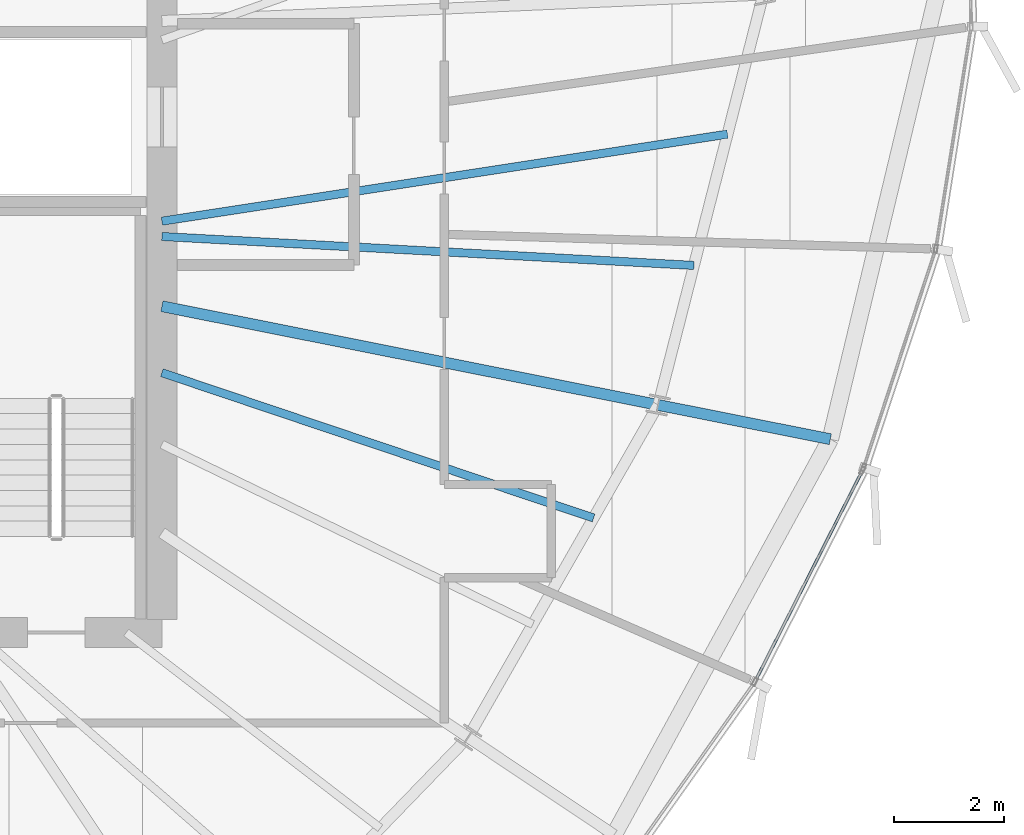
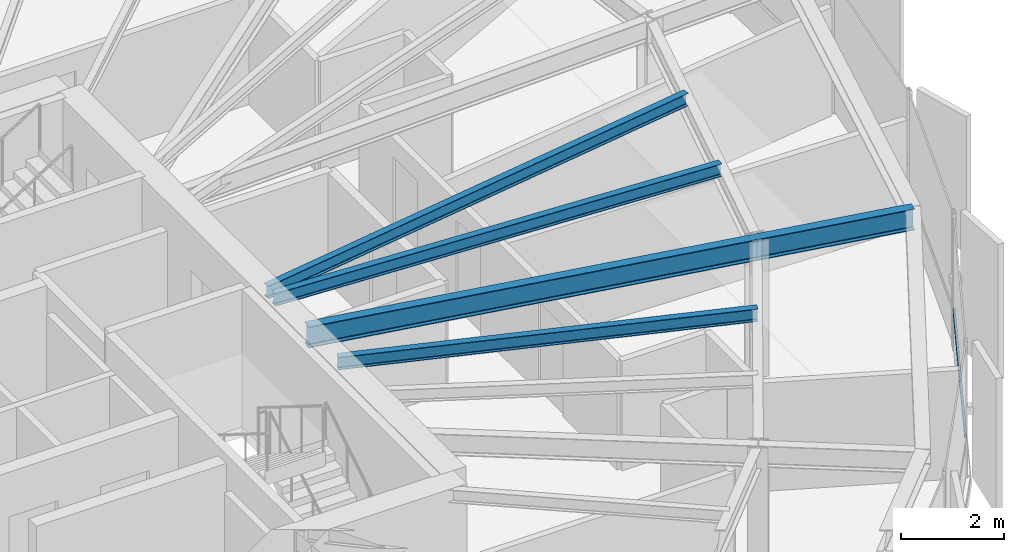
# One storey, part 15 of 35: 5 beams, 1 member, 1 element without a shape of its own.
"""IFC4 building model written with IfcOpenShell, lengths in metres."""

from ifc_helpers import new_model, si_unit, direction, frame, origin, origin_2d, place, context, subcontext, project, spatial, hollow_rectangle, i_section, extrude, source, transform, mapped, material, layer, layer_set, material_profile, profile_set, type_object, element, aggregate, save


model = new_model("IFC4")

# Units and contexts
model_context = context("Model", 3, precision=1e-05, world=origin(), true_north=direction((0.0, 1.0)))
body_context = subcontext(model_context, "Body", "Model", "MODEL_VIEW")
ifc_project = project(units=[si_unit("LENGTHUNIT", "METRE"), si_unit("AREAUNIT", "SQUARE_METRE"), si_unit("VOLUMEUNIT", "CUBIC_METRE"), si_unit("PLANEANGLEUNIT", "RADIAN"), si_unit("MASSUNIT", "GRAM", prefix="KILO"), si_unit("THERMODYNAMICTEMPERATUREUNIT", "KELVIN")], contexts=[model_context])

# Site, building, storey
site_placement = place(None, origin())
site = spatial("IfcSite", under=ifc_project, at=site_placement, CompositionType="ELEMENT")
building_placement = place(site_placement, origin())
building = spatial("IfcBuilding", under=site, at=building_placement, Name="Kethvar Cultural Tower", CompositionType="ELEMENT")
storey_placement = place(building_placement, frame((0.0, 0.0, 204.39990234375)))
storey = spatial("IfcBuildingStorey", under=building, at=storey_placement, Name="L53", CompositionType="ELEMENT", Elevation=204.39990234375)

# Beams
ifc_material_1 = material(Name="Steel S355J2", Category="steel")
ifc_material_profile_1 = material_profile(ifc_material_1, i_section(OverallWidth=0.199951171875, OverallDepth=0.5, WebThickness=0.01025390625, FlangeThickness=0.01611328125, FilletRadius=0.02099609375, at=origin_2d()), Name="Steel S355J2 — IPE500")
ifc_profile_set_1 = profile_set([ifc_material_profile_1], Name="Steel S355J2 — IPE500")
beam_type_1 = type_object("IfcBeamType", Name="BM-IPE500", PredefinedType="BEAM", material=ifc_profile_set_1)
shared_shape_1 = source(origin(), body_context, "Body", "SweptSolid", [
    extrude(i_section(OverallWidth=0.199951171875, OverallDepth=0.5, WebThickness=0.01025390625, FlangeThickness=0.01611328125, FilletRadius=0.02099609375, at=origin_2d()), origin(), (0.0, 0.0, 1.0), 3.199951171875),
])
beam_1_placement = place(storey_placement, frame((64.648681640625, 24.249755859375, 3.008056640625), z_axis=(0.980785550224, -0.195088965533, 0.0), x_axis=(0.195088965533, 0.980785550224, 0.0)))
element("IfcBeam", 1, at=beam_1_placement, inside=storey, type_object=beam_type_1, Name="L53 Perimeter Cantilever Beam RC-16", PredefinedType="BEAM", context=body_context, shape_type="MappedRepresentation", body=[
    mapped(shared_shape_1, transform((0.0, 0.0, 0.0), scale=1.0)),
])
shared_shape_2 = source(origin(), body_context, "Body", "SweptSolid", [
    extrude(i_section(OverallWidth=0.199951171875, OverallDepth=0.5, WebThickness=0.01025390625, FlangeThickness=0.01611328125, FilletRadius=0.02099609375, at=origin_2d()), origin(), (0.0, 0.0, 1.0), 9.225830078125),
])
beam_2_placement = place(storey_placement, frame((55.60009765625, 26.049560546875, 3.008056640625), z_axis=(0.980786744069, -0.195082963529, 0.0), x_axis=(0.195082963529, 0.980786744069, 0.0)))
element("IfcBeam", 2, at=beam_2_placement, inside=storey, type_object=beam_type_1, Name="L53 Primary Radial Beam RB-16", PredefinedType="BEAM", context=body_context, shape_type="MappedRepresentation", body=[
    mapped(shared_shape_2, transform((0.0, 0.0, 0.0), scale=1.0)),
])
ifc_material_profile_2 = material_profile(ifc_material_1, i_section(OverallWidth=0.14990234375, OverallDepth=0.300048828125, WebThickness=0.007080078125, FlangeThickness=0.0107421875, FilletRadius=0.014892578125, at=origin_2d()), Name="Steel S355J2 — IPE300")
ifc_profile_set_2 = profile_set([ifc_material_profile_2], Name="Steel S355J2 — IPE300")
beam_type_2 = type_object("IfcBeamType", Name="BM-J300", PredefinedType="JOIST", material=ifc_profile_set_2)
shared_shape_3 = source(origin(), body_context, "Body", "SweptSolid", [
    extrude(i_section(OverallWidth=0.14990234375, OverallDepth=0.300048828125, WebThickness=0.007080078125, FlangeThickness=0.0107421875, FilletRadius=0.014892578125, at=origin_2d()), origin(), (0.0, 0.0, 1.0), 8.303955078125),
])
beam_3_placement = place(storey_placement, frame((55.60009765625, 24.838134765625, 3.108154296875), z_axis=(0.94776496661, -0.318969540971, 0.0), x_axis=(0.318969540971, 0.94776496661, 0.0)))
element("IfcBeam", 3, at=beam_3_placement, inside=storey, type_object=beam_type_2, Name="L53 Composite Floor Joist J-15B", PredefinedType="JOIST", context=body_context, shape_type="MappedRepresentation", body=[
    mapped(shared_shape_3, transform((0.0, 0.0, 0.0), scale=1.0)),
])
shared_shape_4 = source(origin(), body_context, "Body", "SweptSolid", [
    extrude(i_section(OverallWidth=0.14990234375, OverallDepth=0.300048828125, WebThickness=0.007080078125, FlangeThickness=0.0107421875, FilletRadius=0.014892578125, at=origin_2d()), origin(), (0.0, 0.0, 1.0), 9.714111328125),
])
beam_4_placement = place(storey_placement, frame((55.60009765625, 27.3212890625, 3.108154296875), z_axis=(0.998522658081, -0.054336923906, 0.0), x_axis=(0.054336923906, 0.998522658081, 0.0)))
element("IfcBeam", 4, at=beam_4_placement, inside=storey, type_object=beam_type_2, Name="L53 Composite Floor Joist J-16A", PredefinedType="JOIST", context=body_context, shape_type="MappedRepresentation", body=[
    mapped(shared_shape_4, transform((0.0, 0.0, 0.0), scale=1.0)),
])
shared_shape_5 = source(origin(), body_context, "Body", "SweptSolid", [
    extrude(i_section(OverallWidth=0.14990234375, OverallDepth=0.300048828125, WebThickness=0.007080078125, FlangeThickness=0.0107421875, FilletRadius=0.014892578125, at=origin_2d()), origin(), (0.0, 0.0, 1.0), 10.43408203125),
])
beam_5_placement = place(storey_placement, frame((55.60009765625, 27.60009765625, 3.108154296875), z_axis=(0.988359792691, 0.152134546343, 0.0), x_axis=(-0.152134546343, 0.988359792691, 0.0)))
element("IfcBeam", 5, at=beam_5_placement, inside=storey, type_object=beam_type_2, Name="L53 Composite Floor Joist J-16B", PredefinedType="JOIST", context=body_context, shape_type="MappedRepresentation", body=[
    mapped(shared_shape_5, transform((0.0, 0.0, 0.0), scale=1.0)),
])

# Curtain wall, member
ifc_material_2 = material(Name="Aluminium 6063-T6", Category="aluminium")
ifc_layer = layer(ifc_material_2, 0.179931640625, Name="Aluminium 6063-T6", Category="aluminium")
ifc_layer_set = layer_set([ifc_layer], Name="Aluminium 6063-T6 (180 mm)")
curtain_wall_type = type_object("IfcCurtainWallType", Name="CW-SYS-04-Z34", PredefinedType="NOTDEFINED", material=ifc_layer_set)
curtain_wall_placement = place(storey_placement, origin())
curtain_wall = element("IfcCurtainWall", 6, at=curtain_wall_placement, inside=storey, type_object=curtain_wall_type, Name="L53 Curtain Wall Run 05", PredefinedType="NOTDEFINED")
ifc_material_profile_3 = material_profile(ifc_material_2, hollow_rectangle(XDim=0.050048828125, YDim=0.10009765625, WallThickness=0.00390625, at=origin_2d()), Name="Aluminium 6063-T6 — RHS100x50x4")
ifc_profile_set_3 = profile_set([ifc_material_profile_3], Name="Aluminium 6063-T6 — RHS100x50x4")
member_type = type_object("IfcMemberType", Name="CW-SYS-04-Z34-TRN", PredefinedType="USERDEFINED", material=ifc_profile_set_3)
shared_shape_6 = source(origin(), body_context, "Body", "SweptSolid", [
    extrude(hollow_rectangle(XDim=0.050048828125, YDim=0.10009765625, WallThickness=0.00390625, at=origin_2d()), origin(), (0.0, 0.0, 1.0), 4.2705078125),
])
member_placement = place(storey_placement, frame((66.43017578125, 19.239990234375, 0.9501953125), z_axis=(0.453741648421, 0.891133276501, 0.0), x_axis=(-0.891133276501, 0.453741648421, 0.0)))
member = element("IfcMember", 7, at=member_placement, type_object=member_type, Name="CW-L53-R05 Transom 6", ObjectType="TRANSOM", PredefinedType="USERDEFINED", context=body_context, shape_type="MappedRepresentation", body=[
    mapped(shared_shape_6, transform((0.0, 0.0, 0.0), scale=1.0)),
])
aggregate(curtain_wall, [member])

save(model, "model.ifc")
